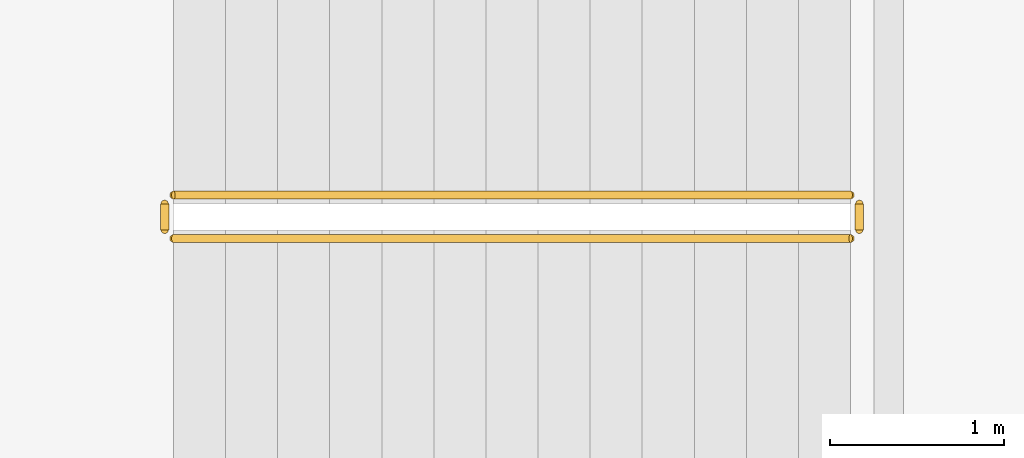
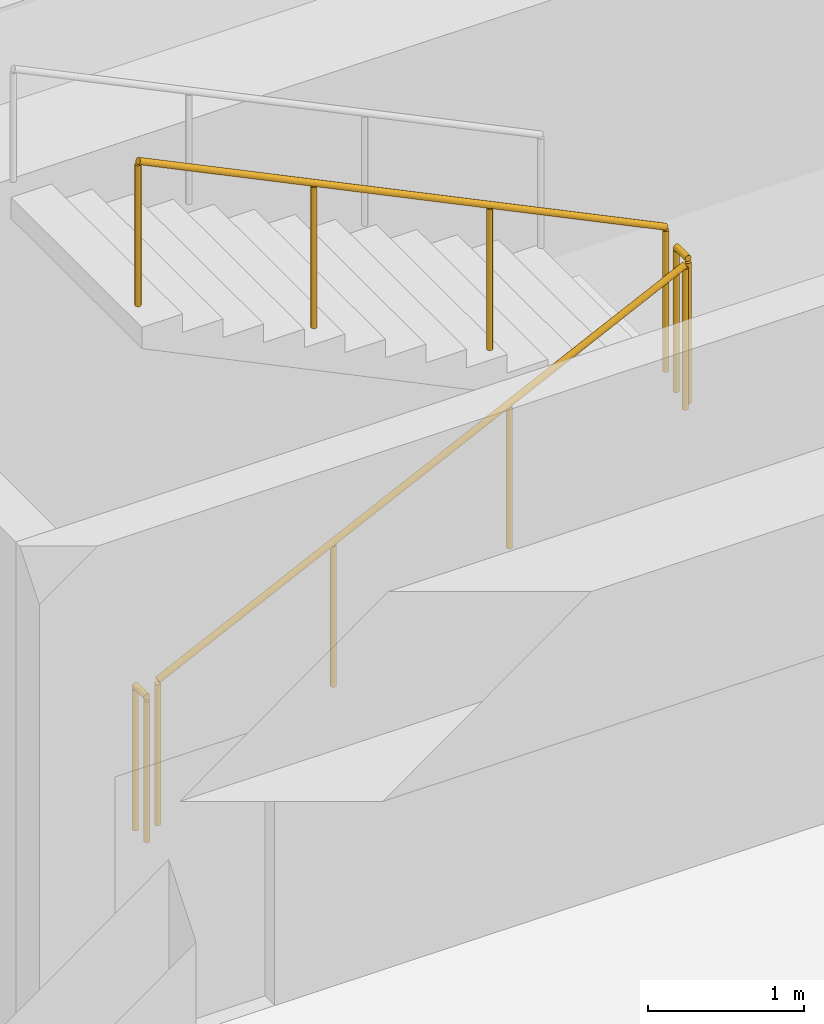
# One storey, part 34 of 35: 4 railings.
"""IFC4 building model written with IfcOpenShell, lengths in metres."""

from ifc_helpers import new_model, si_unit, direction, frame, origin, origin_2d, place, context, subcontext, project, spatial, circle, extrude, material, type_object, element, save


model = new_model("IFC4")

# Units and contexts
model_context = context("Model", 3, precision=1e-05, world=origin(), true_north=direction((0.0, 1.0)))
body_context = subcontext(model_context, "Body", "Model", "MODEL_VIEW")
ifc_project = project(units=[si_unit("LENGTHUNIT", "METRE"), si_unit("AREAUNIT", "SQUARE_METRE"), si_unit("VOLUMEUNIT", "CUBIC_METRE"), si_unit("PLANEANGLEUNIT", "RADIAN"), si_unit("MASSUNIT", "GRAM", prefix="KILO")], contexts=[model_context])

# Site, building, storey
site_placement = place(None, origin())
site = spatial("IfcSite", under=ifc_project, at=site_placement, CompositionType="ELEMENT")
building_placement = place(site_placement, origin())
building = spatial("IfcBuilding", under=site, at=building_placement, Name="Punatoya Terracotta Tower", CompositionType="ELEMENT")
storey_placement = place(building_placement, frame((0.0, 0.0, 68.699951171875)))
storey = spatial("IfcBuildingStorey", under=building, at=storey_placement, Name="L15", CompositionType="ELEMENT", Elevation=68.699951171875)

# Railings
ifc_material = material(Name="Steel S355", Category="steel")
railing_type = type_object("IfcRailingType", Name="RLG-GRD-1150", PredefinedType="GUARDRAIL", material=ifc_material)
railing_1_placement = place(storey_placement, frame((-2.89990234375, 6.949951171875, 0.144775390625)))
element("IfcRailing", 1, at=railing_1_placement, inside=storey, type_object=railing_type, Name="L15 ST-3 stair guard 1", PredefinedType="GUARDRAIL", context=body_context, shape_type="SweptSolid", body=[
    extrude(circle(Radius=0.02392578125, at=origin_2d()), frame((0.0, 0.0, 1.1259765625), z_axis=(0.900763166376, 0.0, 0.434310623978), x_axis=(0.0, 1.0, 0.0)), (0.0, 0.0, 1.0), 4.32958984375),
    extrude(circle(Radius=0.02099609375, at=origin_2d()), origin(), (0.0, 0.0, 1.0), 1.101806640625),
    extrude(circle(Radius=0.02099609375, at=origin_2d()), frame((1.300048828125, 0.0, 0.626708984375)), (0.0, 0.0, 1.0), 1.101806640625),
    extrude(circle(Radius=0.02099609375, at=origin_2d()), frame((2.599853515625, 0.0, 1.253662109375)), (0.0, 0.0, 1.0), 1.101806640625),
    extrude(circle(Radius=0.02099609375, at=origin_2d()), frame((3.89990234375, 0.0, 1.88037109375)), (0.0, 0.0, 1.0), 1.101806640625),
])
railing_2_placement = place(storey_placement, frame((1.050048828125, 7.0, 2.025146484375)))
element("IfcRailing", 2, at=railing_2_placement, inside=storey, type_object=railing_type, Name="L15 ST-3 stair guard 2", PredefinedType="GUARDRAIL", context=body_context, shape_type="SweptSolid", body=[
    extrude(circle(Radius=0.02392578125, at=origin_2d()), frame((0.0, 0.0, 1.1259765625), z_axis=(0.0, 1.0, 0.0), x_axis=(-1.0, 0.0, 0.0)), (0.0, 0.0, 1.0), 0.14990234375),
    extrude(circle(Radius=0.02099609375, at=origin_2d()), origin(), (0.0, 0.0, 1.0), 1.101806640625),
    extrude(circle(Radius=0.02099609375, at=origin_2d()), frame((0.0, 0.14990234375, 0.0)), (0.0, 0.0, 1.0), 1.101806640625),
])
railing_3_placement = place(storey_placement, frame((1.0, 7.199951171875, 2.169677734375)))
element("IfcRailing", 3, at=railing_3_placement, inside=storey, type_object=railing_type, Name="L15 ST-3 stair guard 3", PredefinedType="GUARDRAIL", context=body_context, shape_type="SweptSolid", body=[
    extrude(circle(Radius=0.02392578125, at=origin_2d()), frame((0.0, 0.0, 1.1259765625), z_axis=(-0.900763166376, 0.0, 0.434310623978), x_axis=(0.0, -1.0, 0.0)), (0.0, 0.0, 1.0), 4.32958984375),
    extrude(circle(Radius=0.02099609375, at=origin_2d()), origin(), (0.0, 0.0, 1.0), 1.101806640625),
    extrude(circle(Radius=0.02099609375, at=origin_2d()), frame((-1.300048828125, 0.0, 0.626708984375)), (0.0, 0.0, 1.0), 1.101806640625),
    extrude(circle(Radius=0.02099609375, at=origin_2d()), frame((-2.599853515625, 0.0, 1.253662109375)), (0.0, 0.0, 1.0), 1.101806640625),
    extrude(circle(Radius=0.02099609375, at=origin_2d()), frame((-3.89990234375, 0.0, 1.88037109375)), (0.0, 0.0, 1.0), 1.101806640625),
])
railing_4_placement = place(storey_placement, frame((-2.949951171875, 7.0, 0.0)))
element("IfcRailing", 4, at=railing_4_placement, inside=storey, type_object=railing_type, Name="L15 ST-3 stair guard 4", PredefinedType="GUARDRAIL", context=body_context, shape_type="SweptSolid", body=[
    extrude(circle(Radius=0.02392578125, at=origin_2d()), frame((0.0, 0.0, 1.1259765625), z_axis=(0.0, 1.0, 0.0), x_axis=(-1.0, 0.0, 0.0)), (0.0, 0.0, 1.0), 0.14990234375),
    extrude(circle(Radius=0.02099609375, at=origin_2d()), origin(), (0.0, 0.0, 1.0), 1.101806640625),
    extrude(circle(Radius=0.02099609375, at=origin_2d()), frame((0.0, 0.14990234375, 0.0)), (0.0, 0.0, 1.0), 1.101806640625),
])

save(model, "model.ifc")
